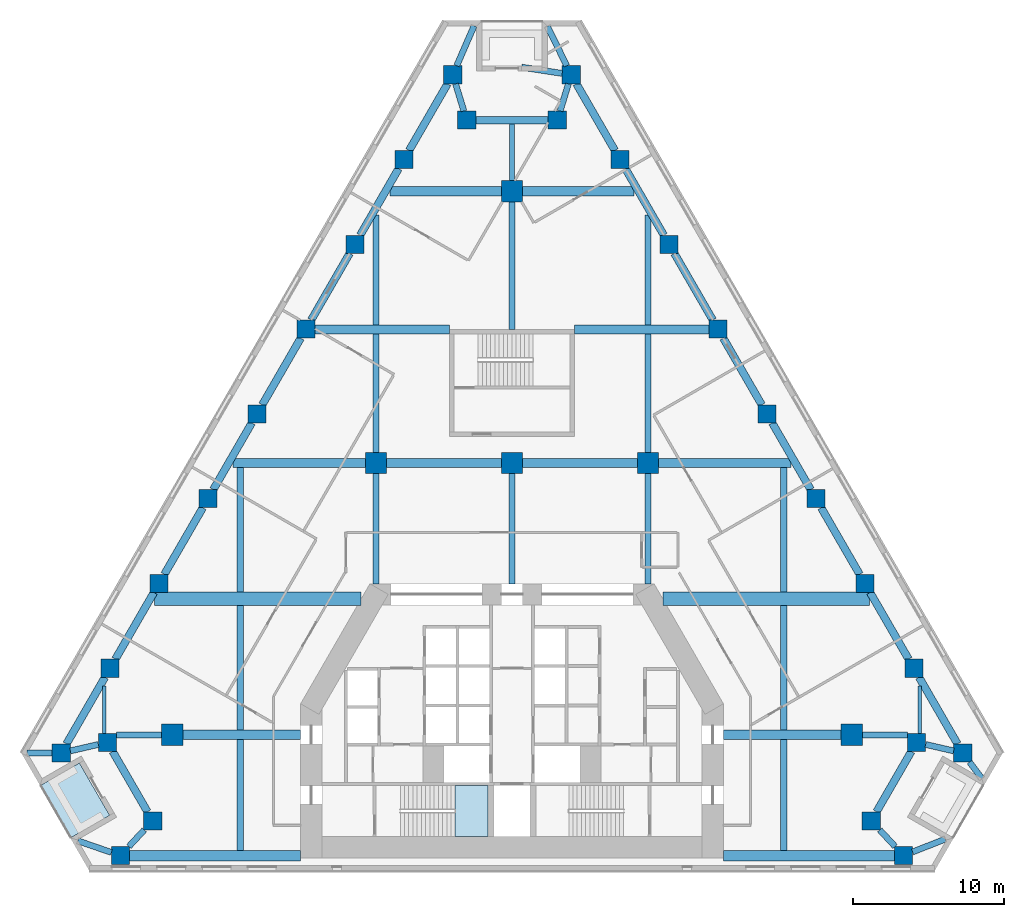
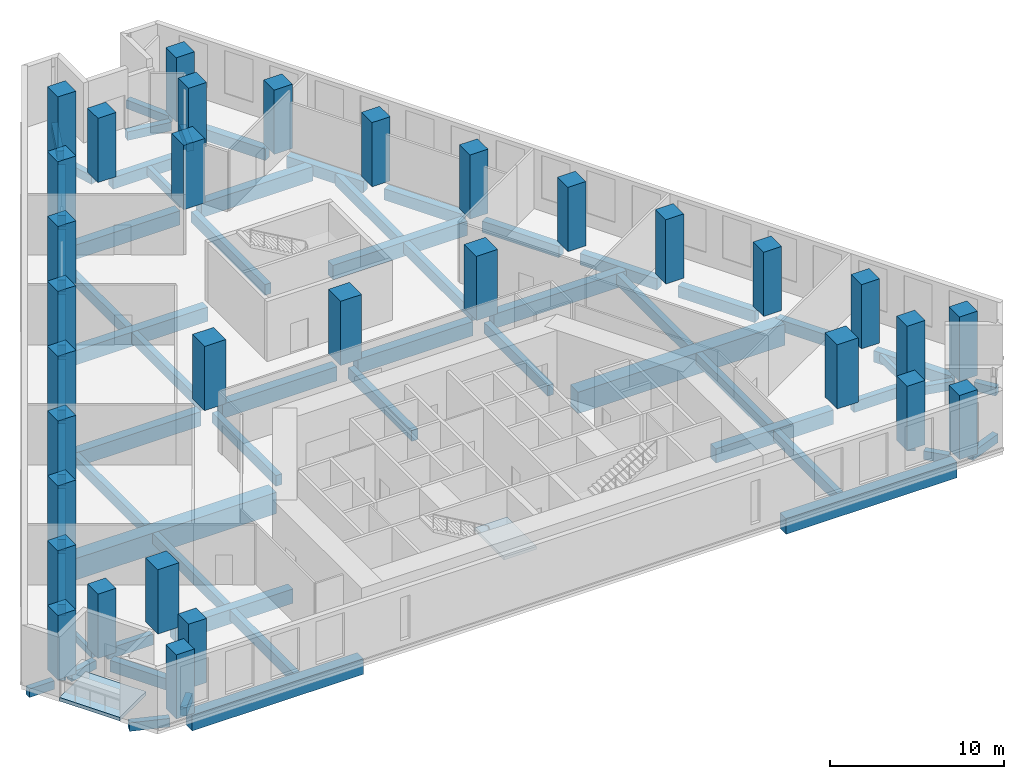
# One storey, part 1 of 14: 65 beams, 32 columns, 2 slabs, 1 element without a shape of its own.
"""IFC4 building model written with IfcOpenShell, lengths in metres."""

import ifcopenshell
import ifcopenshell.guid

model = None  # the IFC model being written
_history = None  # IfcOwnerHistory: only IFC2X3 demands one
_inside = {}  # id of a spatial element -> (the spatial element, [elements in it])
_under = {}  # id of a project, library or spatial element -> (it, [spatial elements below it])
_declared = {}  # id of a project -> (the project, [libraries it declares])
_typed = {}  # id of a type object -> (the type object, [elements of that type])
_made_of = {}  # id of a material, layer set ... -> (it, [elements and type objects made of it])


def new_model(schema):
    """Start an empty IFC model of exactly this schema.

    Asked for "IFC4X3", IfcOpenShell would pick the latest addendum, in which some entities
    have other attributes; the version numbers below select the first issue.
    IFC2X3 requires an IfcOwnerHistory on every rooted entity: one is made here for all.
    """
    global model, _history
    if schema == "IFC4X3":
        model = ifcopenshell.file(schema_version=(4, 3, 0, 0))
    else:
        model = ifcopenshell.file(schema=schema)
    _inside.clear()
    _under.clear()
    _declared.clear()
    _typed.clear()
    _made_of.clear()
    _history = None
    if model.schema == "IFC2X3":
        org = make("IfcOrganization", Name="unknown")
        user = make(
            "IfcPersonAndOrganization",
            ThePerson=make("IfcPerson", FamilyName="unknown"),
            TheOrganization=org,
        )
        app = make(
            "IfcApplication",
            ApplicationDeveloper=org,
            Version="unknown",
            ApplicationFullName="unknown",
            ApplicationIdentifier="unknown",
        )
        _history = make(
            "IfcOwnerHistory",
            OwningUser=user,
            OwningApplication=app,
            ChangeAction="ADDED",
            CreationDate=0,
        )
    return model


def make(cls, **values):
    """One entity of the class cls with the attributes given. An attribute that is None is left unset."""
    return model.create_entity(
        cls, **{name: value for name, value in values.items() if value is not None}
    )


def rooted(cls, **values):
    """An entity with a GlobalId (a new one), such as an element, a storey or a relation."""
    return make(cls, GlobalId=ifcopenshell.guid.new(), OwnerHistory=_history, **values)


def si_unit(unit_type, name, prefix=None):
    """IfcSIUnit, for example si_unit("LENGTHUNIT", "METRE", prefix="MILLI")."""
    return make("IfcSIUnit", UnitType=unit_type, Prefix=prefix, Name=name)


def assignment(units):
    """IfcUnitAssignment: the units of a project."""
    return None if units is None else make("IfcUnitAssignment", Units=units)


def point(xyz):
    """IfcCartesianPoint."""
    return None if xyz is None else make("IfcCartesianPoint", Coordinates=xyz)


def direction(xyz):
    """IfcDirection."""
    return None if xyz is None else make("IfcDirection", DirectionRatios=xyz)


def frame(location, z_axis=None, x_axis=None):
    """IfcAxis2Placement3D, a coordinate frame: its origin and axes. An axis left out is left unset."""
    return make(
        "IfcAxis2Placement3D",
        Location=point(location),
        Axis=direction(z_axis),
        RefDirection=direction(x_axis),
    )


def frame_2d(location, x_axis=None):
    """IfcAxis2Placement2D, a coordinate frame in the plane: its origin and x axis."""
    return make(
        "IfcAxis2Placement2D", Location=point(location), RefDirection=direction(x_axis)
    )


def origin():
    """The frame at (0, 0, 0) with its axes left unset."""
    return frame((0.0, 0.0, 0.0))


def origin_2d():
    """The frame at (0, 0) in the plane with its x axis left unset."""
    return frame_2d((0.0, 0.0))


def place(relative_to, where):
    """IfcLocalPlacement: puts the frame where relative to a parent placement (None: the world)."""
    return make(
        "IfcLocalPlacement", PlacementRelTo=relative_to, RelativePlacement=where
    )


def context(
    kind, dimensions, precision=None, world=None, true_north=None, identifier=None
):
    """IfcGeometricRepresentationContext, for example the 3D "Model" context."""
    return make(
        "IfcGeometricRepresentationContext",
        ContextIdentifier=identifier,
        ContextType=kind,
        CoordinateSpaceDimension=dimensions,
        Precision=precision,
        WorldCoordinateSystem=world,
        TrueNorth=true_north,
    )


def subcontext(parent, identifier, kind, view, scale=None):
    """IfcGeometricRepresentationSubContext, for example "Body" below "Model"."""
    return make(
        "IfcGeometricRepresentationSubContext",
        ContextIdentifier=identifier,
        ContextType=kind,
        ParentContext=parent,
        TargetScale=scale,
        TargetView=view,
    )


def project(units=None, contexts=None):
    """IfcProject with its units and contexts."""
    return rooted(
        "IfcProject",
        Name="project",
        RepresentationContexts=contexts,
        UnitsInContext=assignment(units),
    )


def spatial(cls, under=None, at=None, **own):
    """A site, building, storey or space (cls), placed at a placement, below another one or the project."""
    s = rooted(cls, ObjectPlacement=at, **own)
    if under is not None:
        _under.setdefault(under.id(), (under, []))[1].append(s)
    return s


def polyline(points):
    """IfcPolyline through the points."""
    return make("IfcPolyline", Points=[point(p) for p in points])


def profile(cls, at=None, kind="AREA", **sizes):
    """A parametric profile (cls). Its sizes go by their IFC names, for example OverallWidth=200.0."""
    return make(cls, ProfileType=kind, Position=at, **sizes)


def rectangle(**sizes):
    """IfcRectangleProfileDef."""
    return profile("IfcRectangleProfileDef", **sizes)


def outline(outer, holes=None, kind="AREA"):
    """IfcArbitraryClosedProfileDef: a profile drawn as a closed curve; with holes, ...WithVoids."""
    if holes is None:
        return make("IfcArbitraryClosedProfileDef", ProfileType=kind, OuterCurve=outer)
    return make(
        "IfcArbitraryProfileDefWithVoids",
        ProfileType=kind,
        OuterCurve=outer,
        InnerCurves=holes,
    )


def extrude(swept, where, along, depth):
    """IfcExtrudedAreaSolid: the profile swept, set in the frame where, extruded along a direction by depth."""
    return make(
        "IfcExtrudedAreaSolid",
        SweptArea=swept,
        Position=where,
        ExtrudedDirection=direction(along),
        Depth=depth,
    )


def shape(context_of_items, identifier, shape_type, items):
    """IfcShapeRepresentation: the items that make up one representation, for example the "Body"."""
    return make(
        "IfcShapeRepresentation",
        ContextOfItems=context_of_items,
        RepresentationIdentifier=identifier,
        RepresentationType=shape_type,
        Items=items,
    )


def material(Name=None, Category=None):
    """IfcMaterial."""
    return make("IfcMaterial", Name=Name, Category=Category)


def layer(
    of_material, thickness, ventilated=None, Name=None, Category=None, Priority=None
):
    """IfcMaterialLayer: one layer of a wall or slab, of a material (None: an air gap)."""
    return make(
        "IfcMaterialLayer",
        Material=of_material,
        LayerThickness=thickness,
        IsVentilated=ventilated,
        Name=Name,
        Category=Category,
        Priority=Priority,
    )


def layer_set(layers, Name=None):
    """IfcMaterialLayerSet."""
    return make("IfcMaterialLayerSet", MaterialLayers=layers, LayerSetName=Name)


def material_profile(
    of_material, cross_section, Name=None, Category=None, Priority=None
):
    """IfcMaterialProfile: a cross section and its material."""
    return make(
        "IfcMaterialProfile",
        Name=Name,
        Material=of_material,
        Profile=cross_section,
        Priority=Priority,
        Category=Category,
    )


def profile_set(profiles, Name=None, composite=None):
    """IfcMaterialProfileSet."""
    return make(
        "IfcMaterialProfileSet",
        Name=Name,
        MaterialProfiles=profiles,
        CompositeProfile=composite,
    )


def made_of(thing, what):
    """Note that an element or type object is made of a material, layer set ...; save() writes the relation."""
    if what is not None:
        _made_of.setdefault(what.id(), (what, []))[1].append(thing)
    return thing


def type_object(cls, material=None, **own):
    """A type object (cls), such as IfcWallType, which elements share."""
    return made_of(rooted(cls, **own), material)


def element(
    cls,
    number,
    at=None,
    inside=None,
    cuts=None,
    type_object=None,
    material=None,
    context=None,
    identifier="Body",
    shape_type=None,
    held_by="IfcProductDefinitionShape",
    body=None,
    shapes=None,
    **own,
):
    """One element of the class cls, such as IfcWall. Its Tag is "e" and its number.

    at: its placement. inside: the storey or other place that contains it. cuts: it is an
    opening in that element (IfcRelVoidsElement). A single representation is given by context,
    identifier, shape_type and body (its items); several are given by shapes. held_by: the class
    of the entity that holds the representations. save() writes the other relations.
    """
    e = rooted(cls, Tag="e%d" % number, ObjectPlacement=at, **own)
    if body is not None:
        shapes = [shape(context, identifier, shape_type, body)]
    if shapes is not None:
        e.Representation = make(held_by, Representations=shapes)
    if inside is not None:
        _inside.setdefault(inside.id(), (inside, []))[1].append(e)
    if cuts is not None:
        rooted(
            "IfcRelVoidsElement", RelatingBuildingElement=cuts, RelatedOpeningElement=e
        )
    if type_object is not None:
        _typed.setdefault(type_object.id(), (type_object, []))[1].append(e)
    return made_of(e, material)


def aggregate(whole, parts):
    """IfcRelAggregates: a whole, such as a stair, and the parts it consists of."""
    return rooted("IfcRelAggregates", RelatingObject=whole, RelatedObjects=parts)


def save(model, path):
    """Write the relations noted so far, then the file.

    IfcRelAggregates (storeys below a building ...), IfcRelContainedInSpatialStructure (elements
    in a storey), IfcRelDefinesByType, IfcRelAssociatesMaterial and IfcRelDeclares: one each for
    every whole, place, type object, material and project.
    """
    for whole, parts in _under.values():
        aggregate(whole, parts)
    for where, things in _inside.values():
        rooted(
            "IfcRelContainedInSpatialStructure",
            RelatedElements=things,
            RelatingStructure=where,
        )
    for kind, things in _typed.values():
        rooted("IfcRelDefinesByType", RelatedObjects=things, RelatingType=kind)
    for what, things in _made_of.values():
        rooted("IfcRelAssociatesMaterial", RelatedObjects=things, RelatingMaterial=what)
    for by, libraries in _declared.values():
        rooted("IfcRelDeclares", RelatingContext=by, RelatedDefinitions=libraries)
    model.write(path)


model = new_model("IFC4")

# Units and contexts
model_context = context("Model", 3, precision=1e-05, world=origin(), true_north=direction((0.0, 1.0)))
body_context = subcontext(model_context, "Body", "Model", "MODEL_VIEW")
ifc_project = project(units=[si_unit("LENGTHUNIT", "METRE"), si_unit("AREAUNIT", "SQUARE_METRE"), si_unit("VOLUMEUNIT", "CUBIC_METRE"), si_unit("PLANEANGLEUNIT", "RADIAN"), si_unit("MASSUNIT", "GRAM", prefix="KILO")], contexts=[model_context])

# Site, building, storey
site_placement = place(None, origin())
site = spatial("IfcSite", under=ifc_project, at=site_placement, CompositionType="ELEMENT")
building_placement = place(site_placement, origin())
building = spatial("IfcBuilding", under=site, at=building_placement, Name="Fogline Exchange Tower", CompositionType="ELEMENT")
storey_placement = place(building_placement, frame((0.0, 0.0, 29.5)))
storey = spatial("IfcBuildingStorey", under=building, at=storey_placement, Name="L05", CompositionType="ELEMENT", Elevation=29.5)

# Columns
ifc_material_1 = material(Name="Concrete C80", Category="concrete")
ifc_material_profile_1 = material_profile(ifc_material_1, rectangle(XDim=1.199951171875, YDim=1.199951171875, at=origin_2d()), Name="RC 1200x1200")
ifc_profile_set_1 = profile_set([ifc_material_profile_1], Name="Concrete C80")
column_type_1 = type_object("IfcColumnType", Name="C01", PredefinedType="COLUMN", material=ifc_profile_set_1)
for number, where, z_axis, x_axis, name in (
    (1, (-29.855712890625, 7.794189453125, 0.0), (0.0, 0.0, 1.0), (1.0, 0.0, 0.0), "SW-a"),
    (2, (-26.79638671875, 8.4951171875, 0.0), (0.0, 0.0, 1.0), (1.0, 0.0, 0.0), "SW-p4"),
    (3, (-23.79638671875, 3.299072265625, 0.0), (0.0, 0.0, 1.0), (1.0, 0.0, 0.0), "SW-p3"),
    (4, (-25.93310546875, 1.0, 0.0), (0.0, 0.0, 1.0), (1.0, 0.0, 0.0), "SW-b"),
    (5, (25.93310546875, 1.0, 0.0), (0.0, 0.0, 1.0), (1.0, 0.0, 0.0), "SE-a"),
    (6, (23.79638671875, 3.299072265625, 0.0), (0.0, 0.0, 1.0), (1.0, 0.0, 0.0), "SE-p4"),
    (7, (26.79638671875, 8.4951171875, 0.0), (0.0, 0.0, 1.0), (1.0, 0.0, 0.0), "SE-p3"),
    (8, (29.855712890625, 7.794189453125, 0.0), (0.0, 0.0, 1.0), (1.0, 0.0, 0.0), "SE-b"),
    (9, (26.614013671875, 13.408935546875, 0.0), (0.0, 0.0, 1.0), (1.0, 0.0, 0.0), "E1"),
    (10, (23.37255859375, 19.023681640625, 0.0), (0.0, 0.0, 1.0), (1.0, 0.0, 0.0), "E2"),
    (11, (20.130859375, 24.63818359375, 0.0), (0.0, 0.0, 1.0), (1.0, 0.0, 0.0), "E3"),
    (12, (16.88916015625, 30.2529296875, 0.0), (0.0, 0.0, 1.0), (1.0, 0.0, 0.0), "E4"),
    (13, (13.647705078125, 35.86767578125, 0.0), (0.0, 0.0, 1.0), (1.0, 0.0, 0.0), "E5"),
    (14, (10.406005859375, 41.482421875, 0.0), (0.0, 0.0, 1.0), (1.0, 0.0, 0.0), "E6"),
    (15, (7.164306640625, 47.096923828125, 0.0), (0.0, 0.0, 1.0), (1.0, 0.0, 0.0), "E7"),
    (16, (3.922607421875, 52.711669921875, 0.0), (0.0, 0.0, 1.0), (1.0, 0.0, 0.0), "N-a"),
    (17, (3.0, 49.711669921875, 0.0), (0.0, 0.0, 1.0), (1.0, 0.0, 0.0), "N-p4"),
    (18, (-3.0, 49.711669921875, 0.0), (0.0, 0.0, 1.0), (1.0, 0.0, 0.0), "N-p3"),
    (19, (-3.922607421875, 52.711669921875, 0.0), (0.0, 0.0, 1.0), (1.0, 0.0, 0.0), "N-b"),
    (20, (-7.164306640625, 47.096923828125, 0.0), (0.0, 0.0, 1.0), (1.0, 0.0, 0.0), "W1"),
    (21, (-10.406005859375, 41.482421875, 0.0), (0.0, 0.0, 1.0), (1.0, 0.0, 0.0), "W2"),
    (22, (-13.647705078125, 35.86767578125, 0.0), (0.0, 0.0, 1.0), (1.0, 0.0, 0.0), "W3"),
    (23, (-16.88916015625, 30.2529296875, 0.0), (0.0, 0.0, 1.0), (1.0, 0.0, 0.0), "W4"),
    (24, (-20.130859375, 24.63818359375, 0.0), (0.0, 0.0, 1.0), (1.0, 0.0, 0.0), "W5"),
    (25, (-23.37255859375, 19.023681640625, 0.0), (0.0, 0.0, 1.0), (1.0, 0.0, 0.0), "W6"),
    (26, (-26.614013671875, 13.408935546875, 0.0), (0.0, 0.0, 1.0), (1.0, 0.0, 0.0), "W7"),
):
    element("IfcColumn", number, at=place(storey_placement, frame(where, z_axis=z_axis, x_axis=x_axis)), inside=storey, type_object=column_type_1, Name=name, PredefinedType="COLUMN", context=body_context, shape_type="SweptSolid", body=[
        extrude(rectangle(XDim=1.199951171875, YDim=1.199951171875, at=origin_2d()), origin(), (0.0, 0.0, 1.0), 4.5),
    ])
ifc_material_profile_2 = material_profile(ifc_material_1, rectangle(XDim=1.39990234375, YDim=1.39990234375, at=origin_2d()), Name="RC 1400x1400")
ifc_profile_set_2 = profile_set([ifc_material_profile_2], Name="Concrete C80")
column_type_2 = type_object("IfcColumnType", Name="C02", PredefinedType="COLUMN", material=ifc_profile_set_2)
for number, where, z_axis, x_axis, name in (
    (27, (-9.0, 27.0, 0.0), (0.0, 0.0, 1.0), (1.0, 0.0, 0.0), "IC--9-27"),
    (28, (0.0, 27.0, 0.0), (0.0, 0.0, 1.0), (1.0, 0.0, 0.0), "IC-0-27"),
    (29, (9.0, 27.0, 0.0), (0.0, 0.0, 1.0), (1.0, 0.0, 0.0), "IC-9-27"),
    (30, (0.0, 45.0, 0.0), (0.0, 0.0, 1.0), (1.0, 0.0, 0.0), "IC-0-45"),
    (31, (-22.5, 9.0, 0.0), (0.0, 0.0, 1.0), (1.0, 0.0, 0.0), "IC--225-9"),
    (32, (22.5, 9.0, 0.0), (0.0, 0.0, 1.0), (1.0, 0.0, 0.0), "IC-225-9"),
):
    element("IfcColumn", number, at=place(storey_placement, frame(where, z_axis=z_axis, x_axis=x_axis)), inside=storey, type_object=column_type_2, Name=name, PredefinedType="COLUMN", context=body_context, shape_type="SweptSolid", body=[
        extrude(rectangle(XDim=1.39990234375, YDim=1.39990234375, at=origin_2d()), origin(), (0.0, 0.0, 1.0), 4.5),
    ])

# Beams
ifc_material_2 = material(Name="Concrete C40", Category="concrete")
ifc_material_profile_3 = material_profile(ifc_material_2, rectangle(XDim=0.89990234375, YDim=1.5, at=origin_2d()), Name="RC 900x1500")
ifc_profile_set_3 = profile_set([ifc_material_profile_3], Name="Concrete C40")
beam_type_1 = type_object("IfcBeamType", Name="B01", PredefinedType="BEAM", material=ifc_profile_set_3)
for number, where, z_axis, x_axis, name in (
    (33, (-23.6748046875, 18.0, -1.050048828125), (1.0, 0.0, 0.0), (0.0, 1.0, 0.0), "GB005"),
    (34, (9.989013671875, 18.0, -1.050048828125), (1.0, 0.0, 0.0), (0.0, 1.0, 0.0), "GB006"),
):
    element("IfcBeam", number, at=place(storey_placement, frame(where, z_axis=z_axis, x_axis=x_axis)), inside=storey, type_object=beam_type_1, Name=name, PredefinedType="BEAM", context=body_context, shape_type="SweptSolid", body=[
        extrude(rectangle(XDim=0.89990234375, YDim=1.5, at=origin_2d()), origin(), (0.0, 0.0, 1.0), 13.685791015625),
    ])
ifc_material_profile_4 = material_profile(ifc_material_2, rectangle(XDim=0.60009765625, YDim=1.0, at=origin_2d()), Name="RC 600x1000")
ifc_profile_set_4 = profile_set([ifc_material_profile_4], Name="Concrete C40")
beam_type_2 = type_object("IfcBeamType", Name="B03", PredefinedType="BEAM", material=ifc_profile_set_4)
for number, where, z_axis, x_axis, name in (
    (35, (-21.800048828125, 9.0, -0.800048828125), (1.0, 0.0, 0.0), (0.0, 1.0, 0.0), "GB002"),
    (36, (14.0, 9.0, -0.800048828125), (1.0, 0.0, 0.0), (0.0, 1.0, 0.0), "GB003"),
):
    element("IfcBeam", number, at=place(storey_placement, frame(where, z_axis=z_axis, x_axis=x_axis)), inside=storey, type_object=beam_type_2, Name=name, PredefinedType="BEAM", context=body_context, shape_type="SweptSolid", body=[
        extrude(rectangle(XDim=0.60009765625, YDim=1.0, at=origin_2d()), origin(), (0.0, 0.0, 1.0), 7.800048828125),
    ])
beam_1_placement = place(storey_placement, frame((-18.478515625, 27.0, -0.800048828125), z_axis=(1.0, 0.0, 0.0), x_axis=(0.0, 1.0, 0.0)))
element("IfcBeam", 37, at=beam_1_placement, inside=storey, type_object=beam_type_2, Name="GB007", PredefinedType="BEAM", context=body_context, shape_type="SweptSolid", body=[
    extrude(rectangle(XDim=0.60009765625, YDim=1.0, at=origin_2d()), origin(), (0.0, 0.0, 1.0), 8.778564453125),
])
for number, where, z_axis, x_axis, name in (
    (38, (-8.300048828125, 27.0, -0.800048828125), (1.0, 0.0, 0.0), (0.0, 1.0, 0.0), "GB008"),
    (39, (0.699951171875, 27.0, -0.800048828125), (1.0, 0.0, 0.0), (0.0, 1.0, 0.0), "GB009"),
):
    element("IfcBeam", number, at=place(storey_placement, frame(where, z_axis=z_axis, x_axis=x_axis)), inside=storey, type_object=beam_type_2, Name=name, PredefinedType="BEAM", context=body_context, shape_type="SweptSolid", body=[
        extrude(rectangle(XDim=0.60009765625, YDim=1.0, at=origin_2d()), origin(), (0.0, 0.0, 1.0), 7.60009765625),
    ])
beam_2_placement = place(storey_placement, frame((9.699951171875, 27.0, -0.800048828125), z_axis=(1.0, 0.0, 0.0), x_axis=(0.0, 1.0, 0.0)))
element("IfcBeam", 40, at=beam_2_placement, inside=storey, type_object=beam_type_2, Name="GB010", PredefinedType="BEAM", context=body_context, shape_type="SweptSolid", body=[
    extrude(rectangle(XDim=0.60009765625, YDim=1.0, at=origin_2d()), origin(), (0.0, 0.0, 1.0), 8.778564453125),
])
for number, where, z_axis, x_axis, name in (
    (41, (-13.047607421875, 35.85693359375, -0.800048828125), (1.0, 0.0, 0.0), (0.0, 1.0, 0.0), "GB011"),
    (42, (4.14990234375, 35.85693359375, -0.800048828125), (1.0, 0.0, 0.0), (0.0, 1.0, 0.0), "GB012"),
):
    element("IfcBeam", number, at=place(storey_placement, frame(where, z_axis=z_axis, x_axis=x_axis)), inside=storey, type_object=beam_type_2, Name=name, PredefinedType="BEAM", context=body_context, shape_type="SweptSolid", body=[
        extrude(rectangle(XDim=0.60009765625, YDim=1.0, at=origin_2d()), origin(), (0.0, 0.0, 1.0), 8.897705078125),
    ])
for number, where, z_axis, x_axis, name in (
    (43, (-8.086181640625, 45.0, -0.800048828125), (1.0, 0.0, 0.0), (0.0, 1.0, 0.0), "GB013"),
    (44, (0.699951171875, 45.0, -0.800048828125), (1.0, 0.0, 0.0), (0.0, 1.0, 0.0), "GB014"),
):
    element("IfcBeam", number, at=place(storey_placement, frame(where, z_axis=z_axis, x_axis=x_axis)), inside=storey, type_object=beam_type_2, Name=name, PredefinedType="BEAM", context=body_context, shape_type="SweptSolid", body=[
        extrude(rectangle(XDim=0.60009765625, YDim=1.0, at=origin_2d()), origin(), (0.0, 0.0, 1.0), 7.38623046875),
    ])
ifc_material_profile_5 = material_profile(ifc_material_2, rectangle(XDim=0.39990234375, YDim=0.75, at=origin_2d()), Name="RC 400x750")
ifc_profile_set_5 = profile_set([ifc_material_profile_5], Name="Concrete C40")
beam_type_3 = type_object("IfcBeamType", Name="B05", PredefinedType="BEAM", material=ifc_profile_set_5)
for number, where, z_axis, x_axis, name in (
    (45, (-26.1962890625, 9.0, -0.675048828125), (1.0, 0.0, 0.0), (0.0, 1.0, 0.0), "GB001"),
    (46, (23.199951171875, 9.0, -0.675048828125), (1.0, 0.0, 0.0), (0.0, 1.0, 0.0), "GB004"),
):
    element("IfcBeam", number, at=place(storey_placement, frame(where, z_axis=z_axis, x_axis=x_axis)), inside=storey, type_object=beam_type_3, Name=name, PredefinedType="BEAM", context=body_context, shape_type="SweptSolid", body=[
        extrude(rectangle(XDim=0.39990234375, YDim=0.75, at=origin_2d()), origin(), (0.0, 0.0, 1.0), 2.996337890625),
    ])
beam_3_placement = place(storey_placement, frame((-18.0, 1.35009765625, -0.675048828125), z_axis=(0.0, 1.0, 0.0), x_axis=(-1.0, 0.0, 0.0)))
element("IfcBeam", 47, at=beam_3_placement, inside=storey, type_object=beam_type_3, Name="SB002", PredefinedType="BEAM", context=body_context, shape_type="SweptSolid", body=[
    extrude(rectangle(XDim=0.39990234375, YDim=0.75, at=origin_2d()), origin(), (0.0, 0.0, 1.0), 7.349853515625),
])
for number, where, z_axis, x_axis, name in (
    (48, (-18.0, 9.300048828125, -0.675048828125), (0.0, 1.0, 0.0), (-1.0, 0.0, 0.0), "SB003"),
    (49, (-18.0, 18.449951171875, -0.675048828125), (0.0, 1.0, 0.0), (-1.0, 0.0, 0.0), "SB004"),
):
    element("IfcBeam", number, at=place(storey_placement, frame(where, z_axis=z_axis, x_axis=x_axis)), inside=storey, type_object=beam_type_3, Name=name, PredefinedType="BEAM", context=body_context, shape_type="SweptSolid", body=[
        extrude(rectangle(XDim=0.39990234375, YDim=0.75, at=origin_2d()), origin(), (0.0, 0.0, 1.0), 8.25),
    ])
beam_4_placement = place(storey_placement, frame((-9.0, 19.0, -0.675048828125), z_axis=(0.0, 1.0, 0.0), x_axis=(-1.0, 0.0, 0.0)))
element("IfcBeam", 50, at=beam_4_placement, inside=storey, type_object=beam_type_3, Name="SB005", PredefinedType="BEAM", context=body_context, shape_type="SweptSolid", body=[
    extrude(rectangle(XDim=0.39990234375, YDim=0.75, at=origin_2d()), origin(), (0.0, 0.0, 1.0), 7.300048828125),
])
beam_5_placement = place(storey_placement, frame((-9.0, 27.699951171875, -0.675048828125), z_axis=(0.0, 1.0, 0.0), x_axis=(-1.0, 0.0, 0.0)))
element("IfcBeam", 51, at=beam_5_placement, inside=storey, type_object=beam_type_3, Name="SB006", PredefinedType="BEAM", context=body_context, shape_type="SweptSolid", body=[
    extrude(rectangle(XDim=0.39990234375, YDim=0.75, at=origin_2d()), origin(), (0.0, 0.0, 1.0), 7.85693359375),
])
beam_6_placement = place(storey_placement, frame((-9.0, 36.156982421875, -0.675048828125), z_axis=(0.0, 1.0, 0.0), x_axis=(-1.0, 0.0, 0.0)))
element("IfcBeam", 52, at=beam_6_placement, inside=storey, type_object=beam_type_3, Name="SB007", PredefinedType="BEAM", context=body_context, shape_type="SweptSolid", body=[
    extrude(rectangle(XDim=0.39990234375, YDim=0.75, at=origin_2d()), origin(), (0.0, 0.0, 1.0), 7.260498046875),
])
beam_7_placement = place(storey_placement, frame((0.0, 19.0, -0.675048828125), z_axis=(0.0, 1.0, 0.0), x_axis=(-1.0, 0.0, 0.0)))
element("IfcBeam", 53, at=beam_7_placement, inside=storey, type_object=beam_type_3, Name="SB008", PredefinedType="BEAM", context=body_context, shape_type="SweptSolid", body=[
    extrude(rectangle(XDim=0.39990234375, YDim=0.75, at=origin_2d()), origin(), (0.0, 0.0, 1.0), 7.300048828125),
])
beam_8_placement = place(storey_placement, frame((0.0, 35.85693359375, -0.675048828125), z_axis=(0.0, 1.0, 0.0), x_axis=(-1.0, 0.0, 0.0)))
element("IfcBeam", 54, at=beam_8_placement, inside=storey, type_object=beam_type_3, Name="SB009", PredefinedType="BEAM", context=body_context, shape_type="SweptSolid", body=[
    extrude(rectangle(XDim=0.39990234375, YDim=0.75, at=origin_2d()), origin(), (0.0, 0.0, 1.0), 8.443115234375),
])
beam_9_placement = place(storey_placement, frame((9.0, 19.0, -0.675048828125), z_axis=(0.0, 1.0, 0.0), x_axis=(-1.0, 0.0, 0.0)))
element("IfcBeam", 55, at=beam_9_placement, inside=storey, type_object=beam_type_3, Name="SB011", PredefinedType="BEAM", context=body_context, shape_type="SweptSolid", body=[
    extrude(rectangle(XDim=0.39990234375, YDim=0.75, at=origin_2d()), origin(), (0.0, 0.0, 1.0), 7.300048828125),
])
beam_10_placement = place(storey_placement, frame((9.0, 27.699951171875, -0.675048828125), z_axis=(0.0, 1.0, 0.0), x_axis=(-1.0, 0.0, 0.0)))
element("IfcBeam", 56, at=beam_10_placement, inside=storey, type_object=beam_type_3, Name="SB012", PredefinedType="BEAM", context=body_context, shape_type="SweptSolid", body=[
    extrude(rectangle(XDim=0.39990234375, YDim=0.75, at=origin_2d()), origin(), (0.0, 0.0, 1.0), 7.85693359375),
])
beam_11_placement = place(storey_placement, frame((9.0, 36.156982421875, -0.675048828125), z_axis=(0.0, 1.0, 0.0), x_axis=(-1.0, 0.0, 0.0)))
element("IfcBeam", 57, at=beam_11_placement, inside=storey, type_object=beam_type_3, Name="SB013", PredefinedType="BEAM", context=body_context, shape_type="SweptSolid", body=[
    extrude(rectangle(XDim=0.39990234375, YDim=0.75, at=origin_2d()), origin(), (0.0, 0.0, 1.0), 7.260498046875),
])
beam_12_placement = place(storey_placement, frame((18.0, 1.35009765625, -0.675048828125), z_axis=(0.0, 1.0, 0.0), x_axis=(-1.0, 0.0, 0.0)))
element("IfcBeam", 58, at=beam_12_placement, inside=storey, type_object=beam_type_3, Name="SB014", PredefinedType="BEAM", context=body_context, shape_type="SweptSolid", body=[
    extrude(rectangle(XDim=0.39990234375, YDim=0.75, at=origin_2d()), origin(), (0.0, 0.0, 1.0), 7.349853515625),
])
for number, where, z_axis, x_axis, name in (
    (59, (18.0, 9.300048828125, -0.675048828125), (0.0, 1.0, 0.0), (-1.0, 0.0, 0.0), "SB015"),
    (60, (18.0, 18.449951171875, -0.675048828125), (0.0, 1.0, 0.0), (-1.0, 0.0, 0.0), "SB016"),
):
    element("IfcBeam", number, at=place(storey_placement, frame(where, z_axis=z_axis, x_axis=x_axis)), inside=storey, type_object=beam_type_3, Name=name, PredefinedType="BEAM", context=body_context, shape_type="SweptSolid", body=[
        extrude(rectangle(XDim=0.39990234375, YDim=0.75, at=origin_2d()), origin(), (0.0, 0.0, 1.0), 8.25),
    ])
ifc_material_profile_6 = material_profile(ifc_material_2, rectangle(XDim=0.300048828125, YDim=0.60009765625, at=origin_2d()), Name="RC 300x600")
ifc_profile_set_6 = profile_set([ifc_material_profile_6], Name="Concrete C40")
beam_type_4 = type_object("IfcBeamType", Name="B06", PredefinedType="BEAM", material=ifc_profile_set_6)
beam_13_placement = place(storey_placement, frame((0.0, 45.699951171875, -0.60009765625), z_axis=(0.0, 1.0, 0.0), x_axis=(-1.0, 0.0, 0.0)))
element("IfcBeam", 61, at=beam_13_placement, inside=storey, type_object=beam_type_4, Name="SB010", PredefinedType="BEAM", context=body_context, shape_type="SweptSolid", body=[
    extrude(rectangle(XDim=0.300048828125, YDim=0.60009765625, at=origin_2d()), origin(), (0.0, 0.0, 1.0), 3.76171875),
])
ifc_material_profile_7 = material_profile(ifc_material_2, rectangle(XDim=0.25, YDim=0.5, at=origin_2d()), Name="RC 250x500")
ifc_profile_set_7 = profile_set([ifc_material_profile_7], Name="Concrete C40")
beam_type_5 = type_object("IfcBeamType", Name="B08", PredefinedType="BEAM", material=ifc_profile_set_7)
for number, where, z_axis, x_axis, name in (
    (62, (-27.0, 9.09521484375, -0.550048828125), (0.0, 1.0, 0.0), (-1.0, 0.0, 0.0), "SB001"),
    (63, (27.0, 9.09521484375, -0.550048828125), (0.0, 1.0, 0.0), (-1.0, 0.0, 0.0), "SB017"),
):
    element("IfcBeam", number, at=place(storey_placement, frame(where, z_axis=z_axis, x_axis=x_axis)), inside=storey, type_object=beam_type_5, Name=name, PredefinedType="BEAM", context=body_context, shape_type="SweptSolid", body=[
        extrude(rectangle(XDim=0.25, YDim=0.5, at=origin_2d()), origin(), (0.0, 0.0, 1.0), 3.145263671875),
    ])
ifc_material_profile_8 = material_profile(ifc_material_2, rectangle(XDim=0.5, YDim=0.800048828125, at=origin_2d()), Name="RC 500x800")
ifc_profile_set_8 = profile_set([ifc_material_profile_8], Name="Concrete C40")
beam_type_6 = type_object("IfcBeamType", Name="B10", PredefinedType="BEAM", material=ifc_profile_set_8)
for number, where, z_axis, x_axis, name in (
    (64, (-26.449951171875, 7.895263671875, -0.699951171875), (0.500014024385, -0.866017306651, 0.0), (0.866017306651, 0.500014024385, 0.0), "RB002"),
    (65, (24.142578125, 3.89892578125, -0.699951171875), (0.500014024385, 0.866017306651, 0.0), (-0.866017306651, 0.500014024385, 0.0), "RB007"),
):
    element("IfcBeam", number, at=place(storey_placement, frame(where, z_axis=z_axis, x_axis=x_axis)), inside=storey, type_object=beam_type_6, Name=name, PredefinedType="BEAM", context=body_context, shape_type="SweptSolid", body=[
        extrude(rectangle(XDim=0.5, YDim=0.800048828125, at=origin_2d()), origin(), (0.0, 0.0, 1.0), 4.614501953125),
    ])
beam_14_placement = place(storey_placement, frame((29.50927734375, 8.394287109375, -0.699951171875), z_axis=(-0.500012659481, 0.866018094706, 0.0), x_axis=(-0.866018094706, -0.500012659481, 0.0)))
element("IfcBeam", 66, at=beam_14_placement, inside=storey, type_object=beam_type_6, Name="RB009", PredefinedType="BEAM", context=body_context, shape_type="SweptSolid", body=[
    extrude(rectangle(XDim=0.5, YDim=0.800048828125, at=origin_2d()), origin(), (0.0, 0.0, 1.0), 5.097412109375),
])
for number, where, z_axis, x_axis, name in (
    (67, (26.267578125, 14.0087890625, -0.699951171875), (-0.499956000529, 0.8660508054, 0.0), (-0.8660508054, -0.499956000529, 0.0), "RB010"),
    (68, (23.026123046875, 19.62353515625, -0.699951171875), (-0.499991921166, 0.866030068051, 0.0), (-0.866030068051, -0.499991921166, 0.0), "RB011"),
):
    element("IfcBeam", number, at=place(storey_placement, frame(where, z_axis=z_axis, x_axis=x_axis)), inside=storey, type_object=beam_type_6, Name=name, PredefinedType="BEAM", context=body_context, shape_type="SweptSolid", body=[
        extrude(rectangle(XDim=0.5, YDim=0.800048828125, at=origin_2d()), origin(), (0.0, 0.0, 1.0), 5.09765625),
    ])
beam_15_placement = place(storey_placement, frame((19.784423828125, 25.23828125, -0.699951171875), z_axis=(-0.500012659481, 0.866018094706, 0.0), x_axis=(-0.866018094706, -0.500012659481, 0.0)))
element("IfcBeam", 69, at=beam_15_placement, inside=storey, type_object=beam_type_6, Name="RB012", PredefinedType="BEAM", context=body_context, shape_type="SweptSolid", body=[
    extrude(rectangle(XDim=0.5, YDim=0.800048828125, at=origin_2d()), origin(), (0.0, 0.0, 1.0), 5.097412109375),
])
for number, where, z_axis, x_axis, name in (
    (70, (16.542724609375, 30.852783203125, -0.699951171875), (-0.499991921166, 0.866030068051, 0.0), (-0.866030068051, -0.499991921166, 0.0), "RB013"),
    (71, (13.301025390625, 36.467529296875, -0.699951171875), (-0.499991921166, 0.866030068051, 0.0), (-0.866030068051, -0.499991921166, 0.0), "RB014"),
    (72, (10.0595703125, 42.082275390625, -0.699951171875), (-0.499991921166, 0.866030068051, 0.0), (-0.866030068051, -0.499991921166, 0.0), "RB015"),
    (73, (6.81787109375, 47.697021484375, -0.699951171875), (-0.499991921166, 0.866030068051, 0.0), (-0.866030068051, -0.499991921166, 0.0), "RB016"),
):
    element("IfcBeam", number, at=place(storey_placement, frame(where, z_axis=z_axis, x_axis=x_axis)), inside=storey, type_object=beam_type_6, Name=name, PredefinedType="BEAM", context=body_context, shape_type="SweptSolid", body=[
        extrude(rectangle(XDim=0.5, YDim=0.800048828125, at=origin_2d()), origin(), (0.0, 0.0, 1.0), 5.09765625),
    ])
beam_16_placement = place(storey_placement, frame((2.39990234375, 49.711669921875, -0.699951171875), z_axis=(-1.0, 0.0, 0.0), x_axis=(0.0, -1.0, 0.0)))
element("IfcBeam", 74, at=beam_16_placement, inside=storey, type_object=beam_type_6, Name="RB018", PredefinedType="BEAM", context=body_context, shape_type="SweptSolid", body=[
    extrude(rectangle(XDim=0.5, YDim=0.800048828125, at=origin_2d()), origin(), (0.0, 0.0, 1.0), 4.7998046875),
])
for number, where, z_axis, x_axis, name in (
    (75, (-4.26904296875, 52.11181640625, -0.699951171875), (-0.499991921166, -0.866030068051, 0.0), (0.866030068051, -0.499991921166, 0.0), "RB020"),
    (76, (-7.5107421875, 46.4970703125, -0.699951171875), (-0.499991921166, -0.866030068051, 0.0), (0.866030068051, -0.499991921166, 0.0), "RB021"),
    (77, (-10.752197265625, 40.88232421875, -0.699951171875), (-0.499991921166, -0.866030068051, 0.0), (0.866030068051, -0.499991921166, 0.0), "RB022"),
    (78, (-13.993896484375, 35.267578125, -0.699951171875), (-0.499991921166, -0.866030068051, 0.0), (0.866030068051, -0.499991921166, 0.0), "RB023"),
):
    element("IfcBeam", number, at=place(storey_placement, frame(where, z_axis=z_axis, x_axis=x_axis)), inside=storey, type_object=beam_type_6, Name=name, PredefinedType="BEAM", context=body_context, shape_type="SweptSolid", body=[
        extrude(rectangle(XDim=0.5, YDim=0.800048828125, at=origin_2d()), origin(), (0.0, 0.0, 1.0), 5.09765625),
    ])
beam_17_placement = place(storey_placement, frame((-17.235595703125, 29.65283203125, -0.699951171875), z_axis=(-0.500012659481, -0.866018094706, 0.0), x_axis=(0.866018094706, -0.500012659481, 0.0)))
element("IfcBeam", 79, at=beam_17_placement, inside=storey, type_object=beam_type_6, Name="RB024", PredefinedType="BEAM", context=body_context, shape_type="SweptSolid", body=[
    extrude(rectangle(XDim=0.5, YDim=0.800048828125, at=origin_2d()), origin(), (0.0, 0.0, 1.0), 5.097412109375),
])
for number, where, z_axis, x_axis, name in (
    (80, (-20.477294921875, 24.038330078125, -0.699951171875), (-0.499991921166, -0.866030068051, 0.0), (0.866030068051, -0.499991921166, 0.0), "RB025"),
    (81, (-23.718994140625, 18.423583984375, -0.699951171875), (-0.499956000529, -0.8660508054, 0.0), (0.8660508054, -0.499956000529, 0.0), "RB026"),
):
    element("IfcBeam", number, at=place(storey_placement, frame(where, z_axis=z_axis, x_axis=x_axis)), inside=storey, type_object=beam_type_6, Name=name, PredefinedType="BEAM", context=body_context, shape_type="SweptSolid", body=[
        extrude(rectangle(XDim=0.5, YDim=0.800048828125, at=origin_2d()), origin(), (0.0, 0.0, 1.0), 5.09765625),
    ])
beam_18_placement = place(storey_placement, frame((-26.96044921875, 12.808837890625, -0.699951171875), z_axis=(-0.500012659481, -0.866018094706, 0.0), x_axis=(0.866018094706, -0.500012659481, 0.0)))
element("IfcBeam", 82, at=beam_18_placement, inside=storey, type_object=beam_type_6, Name="RB027", PredefinedType="BEAM", context=body_context, shape_type="SweptSolid", body=[
    extrude(rectangle(XDim=0.5, YDim=0.800048828125, at=origin_2d()), origin(), (0.0, 0.0, 1.0), 5.097412109375),
])
ifc_material_profile_9 = material_profile(ifc_material_2, rectangle(XDim=0.39990234375, YDim=0.60009765625, at=origin_2d()), Name="RC 400x600")
ifc_profile_set_9 = profile_set([ifc_material_profile_9], Name="Concrete C40")
beam_type_7 = type_object("IfcBeamType", Name="B11", PredefinedType="BEAM", material=ifc_profile_set_9)
beam_19_placement = place(storey_placement, frame((-29.255615234375, 7.931640625, -0.60009765625), z_axis=(0.974741606569, 0.223335622829, 0.0), x_axis=(-0.223335622829, 0.974741606569, 0.0)))
element("IfcBeam", 83, at=beam_19_placement, inside=storey, type_object=beam_type_7, Name="RB001", PredefinedType="BEAM", context=body_context, shape_type="SweptSolid", body=[
    extrude(rectangle(XDim=0.39990234375, YDim=0.60009765625, at=origin_2d()), origin(), (0.0, 0.0, 1.0), 1.907470703125),
])
for number, where, z_axis, x_axis, name in (
    (84, (-24.35400390625, 2.698974609375, -0.60009765625), (-0.680844217962, -0.732428256464, 0.0), (0.732428256464, -0.680844217962, 0.0), "RB003"),
    (85, (25.37548828125, 1.60009765625, -0.60009765625), (-0.680844217962, 0.732428256464, 0.0), (-0.732428256464, -0.680844217962, 0.0), "RB006"),
):
    element("IfcBeam", number, at=place(storey_placement, frame(where, z_axis=z_axis, x_axis=x_axis)), inside=storey, type_object=beam_type_7, Name=name, PredefinedType="BEAM", context=body_context, shape_type="SweptSolid", body=[
        extrude(rectangle(XDim=0.39990234375, YDim=0.60009765625, at=origin_2d()), origin(), (0.0, 0.0, 1.0), 1.500244140625),
    ])
beam_20_placement = place(storey_placement, frame((27.396240234375, 8.357666015625, -0.60009765625), z_axis=(0.974741606569, -0.223335622829, 0.0), x_axis=(0.223335622829, 0.974741606569, 0.0)))
element("IfcBeam", 86, at=beam_20_placement, inside=storey, type_object=beam_type_7, Name="RB008", PredefinedType="BEAM", context=body_context, shape_type="SweptSolid", body=[
    extrude(rectangle(XDim=0.39990234375, YDim=0.60009765625, at=origin_2d()), origin(), (0.0, 0.0, 1.0), 1.907470703125),
])
for number, where, z_axis, x_axis, name in (
    (87, (3.738037109375, 52.11181640625, -0.60009765625), (-0.293894535925, -0.955837853275, 0.0), (0.955837853275, -0.293894535925, 0.0), "RB017"),
    (88, (-3.1845703125, 50.311767578125, -0.60009765625), (-0.293894535925, 0.955837853275, 0.0), (-0.955837853275, -0.293894535925, 0.0), "RB019"),
):
    element("IfcBeam", number, at=place(storey_placement, frame(where, z_axis=z_axis, x_axis=x_axis)), inside=storey, type_object=beam_type_7, Name=name, PredefinedType="BEAM", context=body_context, shape_type="SweptSolid", body=[
        extrude(rectangle(XDim=0.39990234375, YDim=0.60009765625, at=origin_2d()), origin(), (0.0, 0.0, 1.0), 1.88330078125),
    ])
beam_21_placement = place(storey_placement, frame((3.62744140625, 53.311767578125, -0.60009765625), z_axis=(-0.441477693674, 0.897272225129, 0.0), x_axis=(-0.897272225129, -0.441477693674, 0.0)))
element("IfcBeam", 89, at=beam_21_placement, inside=storey, type_object=beam_type_7, Name="SP028", PredefinedType="BEAM", context=body_context, shape_type="SweptSolid", body=[
    extrude(rectangle(XDim=0.39990234375, YDim=0.60009765625, at=origin_2d()), origin(), (0.0, 0.0, 1.0), 2.916015625),
])
beam_22_placement = place(storey_placement, frame((-3.661376953125, 53.311767578125, -0.60009765625), z_axis=(0.399274814223, 0.916831294583, 0.0), x_axis=(-0.916831294583, 0.399274814223, 0.0)))
element("IfcBeam", 90, at=beam_22_placement, inside=storey, type_object=beam_type_7, Name="SP029", PredefinedType="BEAM", context=body_context, shape_type="SweptSolid", body=[
    extrude(rectangle(XDim=0.39990234375, YDim=0.60009765625, at=origin_2d()), origin(), (0.0, 0.0, 1.0), 2.87939453125),
])
beam_23_placement = place(storey_placement, frame((-26.533203125, 1.20703125, -0.60009765625), z_axis=(-0.945276137609, 0.326271395723, 0.0), x_axis=(-0.326271395723, -0.945276137609, 0.0)))
element("IfcBeam", 91, at=beam_23_placement, inside=storey, type_object=beam_type_7, Name="SP030", PredefinedType="BEAM", context=body_context, shape_type="SweptSolid", body=[
    extrude(rectangle(XDim=0.39990234375, YDim=0.60009765625, at=origin_2d()), origin(), (0.0, 0.0, 1.0), 2.358642578125),
])
beam_24_placement = place(storey_placement, frame((26.533203125, 1.237060546875, -0.60009765625), z_axis=(0.930003275072, 0.367551232288, 0.0), x_axis=(-0.367551232288, 0.930003275072, 0.0)))
element("IfcBeam", 92, at=beam_24_placement, inside=storey, type_object=beam_type_7, Name="SP031", PredefinedType="BEAM", context=body_context, shape_type="SweptSolid", body=[
    extrude(rectangle(XDim=0.39990234375, YDim=0.60009765625, at=origin_2d()), origin(), (0.0, 0.0, 1.0), 2.326171875),
])
beam_25_placement = place(storey_placement, frame((3.322509765625, 52.803955078125, -0.60009765625), z_axis=(-0.988387312289, 0.151955654409, 0.0), x_axis=(-0.151955654409, -0.988387312289, 0.0)))
element("IfcBeam", 93, at=beam_25_placement, inside=storey, type_object=beam_type_7, Name="SP032", PredefinedType="BEAM", context=body_context, shape_type="SweptSolid", body=[
    extrude(rectangle(XDim=0.39990234375, YDim=0.60009765625, at=origin_2d()), origin(), (0.0, 0.0, 1.0), 2.71044921875),
])
beam_26_placement = place(storey_placement, frame((-30.455810546875, 7.794189453125, -0.60009765625), z_axis=(-1.0, 0.0, 0.0), x_axis=(0.0, -1.0, 0.0)))
element("IfcBeam", 94, at=beam_26_placement, inside=storey, type_object=beam_type_7, Name="SP033", PredefinedType="BEAM", context=body_context, shape_type="SweptSolid", body=[
    extrude(rectangle(XDim=0.39990234375, YDim=0.60009765625, at=origin_2d()), origin(), (0.0, 0.0, 1.0), 1.651611328125),
])
beam_27_placement = place(storey_placement, frame((30.3046875, 7.194091796875, -0.60009765625), z_axis=(0.599088611957, -0.800682730564, 0.0), x_axis=(0.800682730564, 0.599088611957, 0.0)))
element("IfcBeam", 95, at=beam_27_placement, inside=storey, type_object=beam_type_7, Name="SP034", PredefinedType="BEAM", context=body_context, shape_type="SweptSolid", body=[
    extrude(rectangle(XDim=0.39990234375, YDim=0.60009765625, at=origin_2d()), origin(), (0.0, 0.0, 1.0), 1.3720703125),
])
ifc_material_profile_10 = material_profile(ifc_material_2, rectangle(XDim=0.699951171875, YDim=1.10009765625, at=origin_2d()), Name="RC 700x1100")
ifc_profile_set_10 = profile_set([ifc_material_profile_10], Name="Concrete C40")
beam_type_8 = type_object("IfcBeamType", Name="B12", PredefinedType="BEAM", material=ifc_profile_set_10)
for number, where, z_axis, x_axis, name in (
    (96, (-25.3330078125, 1.0, -0.85009765625), (1.0, 0.0, 0.0), (0.0, 1.0, 0.0), "RB004"),
    (97, (14.0, 1.0, -0.85009765625), (1.0, 0.0, 0.0), (0.0, 1.0, 0.0), "RB005"),
):
    element("IfcBeam", number, at=place(storey_placement, frame(where, z_axis=z_axis, x_axis=x_axis)), inside=storey, type_object=beam_type_8, Name=name, PredefinedType="BEAM", context=body_context, shape_type="SweptSolid", body=[
        extrude(rectangle(XDim=0.699951171875, YDim=1.10009765625, at=origin_2d()), origin(), (0.0, 0.0, 1.0), 11.3330078125),
    ])

# Slab
ifc_layer_1 = layer(ifc_material_2, 0.25)
ifc_layer_set_1 = layer_set([ifc_layer_1], Name="DK1")
slab_type_1 = type_object("IfcSlabType", Name="DK1", PredefinedType="FLOOR", material=ifc_layer_set_1)
slab_1_placement = place(storey_placement, frame((0.0, 0.0, -0.25)))
element("IfcSlab", 98, at=slab_1_placement, inside=storey, type_object=slab_type_1, Name="Balcony L05 SW", PredefinedType="FLOOR", context=body_context, shape_type="SweptSolid", body=[
    extrude(outline(polyline([(-31.25, 5.629150390625), (-29.25, 2.1650390625), (-26.65185546875, 3.6650390625), (-28.65185546875, 7.129150390625), (-31.25, 5.629150390625)])), origin(), (0.0, 0.0, 1.0), 0.25),
])

# Stair, slab
stair_type = type_object("IfcStairType", Name="STR28-1607", PredefinedType="HALF_TURN_STAIR", material=ifc_material_2)
stair_placement = place(storey_placement, origin())
stair = element("IfcStair", 99, at=stair_placement, inside=storey, type_object=stair_type, Name="Stair ST1", PredefinedType="HALF_TURN_STAIR")
ifc_layer_2 = layer(ifc_material_2, 0.199951171875)
ifc_layer_set_2 = layer_set([ifc_layer_2], Name="SL200")
slab_type_2 = type_object("IfcSlabType", Name="SL200", PredefinedType="LANDING", material=ifc_layer_set_2)
slab_2_placement = place(storey_placement, frame((0.0, 0.0, 2.050048828125)))
slab_2 = element("IfcSlab", 100, at=slab_2_placement, type_object=slab_type_2, Name="ST1 landing 1", PredefinedType="LANDING", context=body_context, shape_type="SweptSolid", body=[
    extrude(outline(polyline([(-3.760009765625, 2.25), (-1.60009765625, 2.25), (-1.60009765625, 5.64990234375), (-3.760009765625, 5.64990234375), (-3.760009765625, 2.25)])), origin(), (0.0, 0.0, 1.0), 0.199951171875),
])
aggregate(stair, [slab_2])

save(model, "model.ifc")
